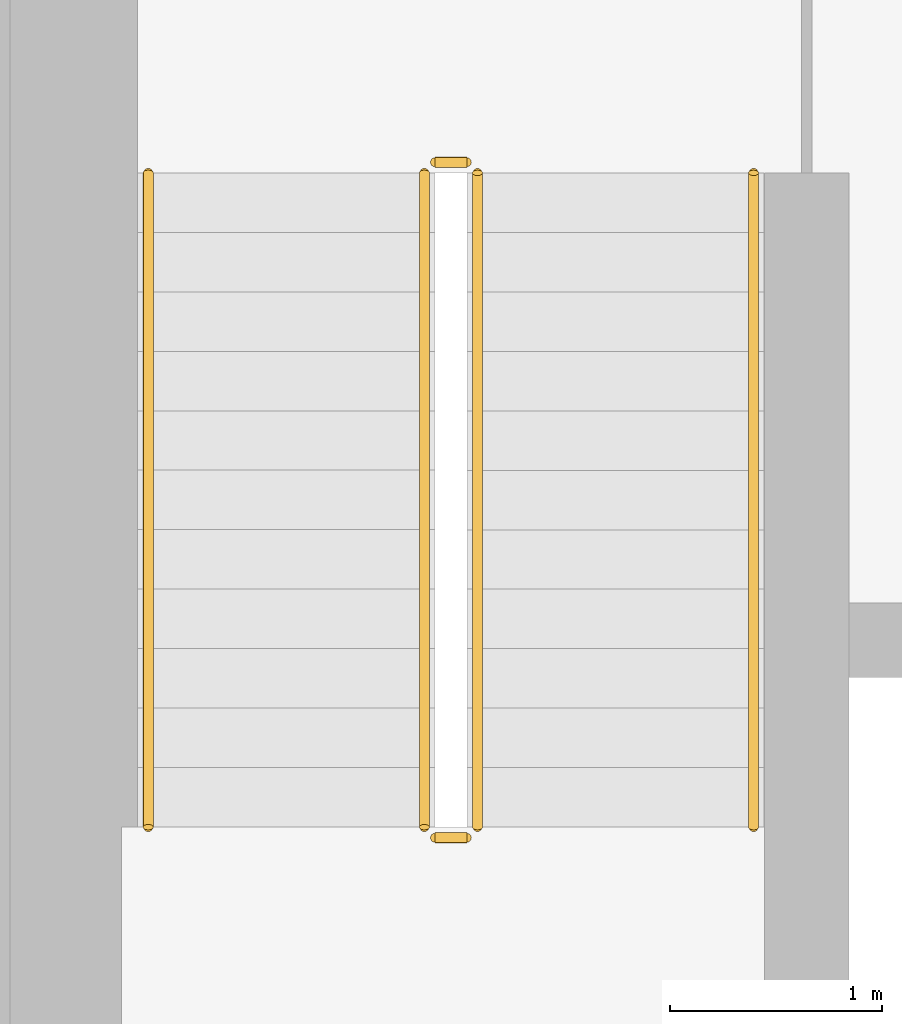
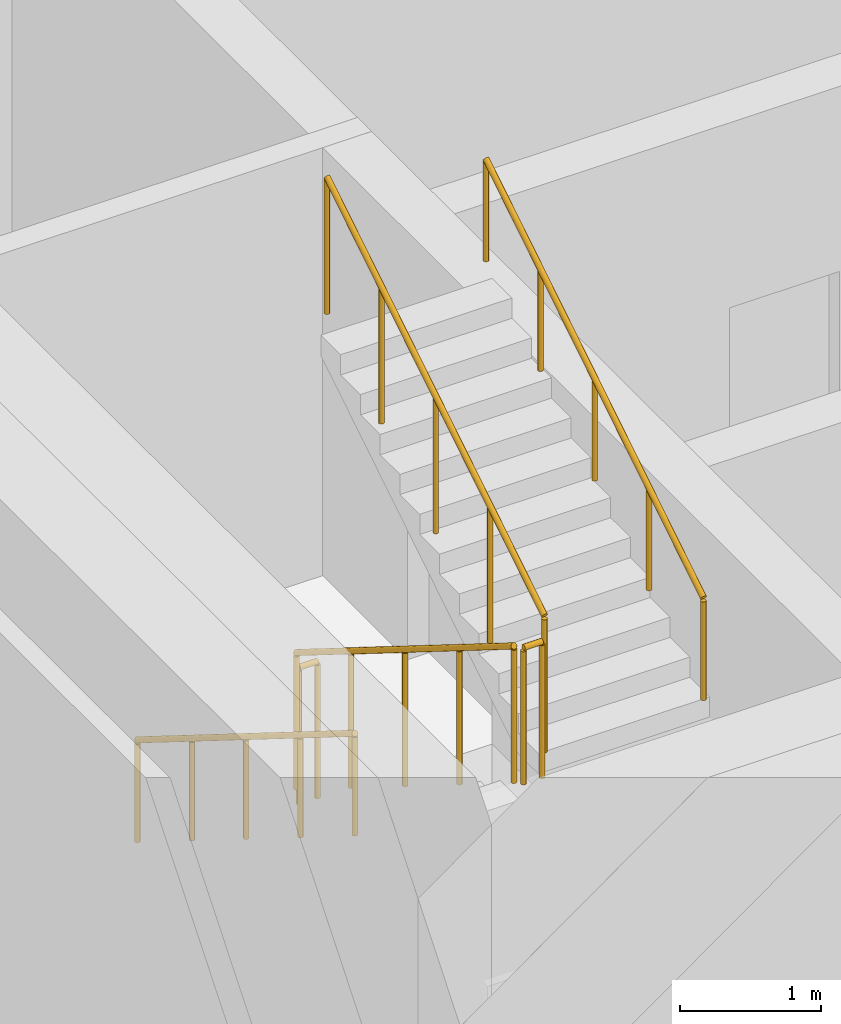
# One storey, part 19 of 24: 6 railings.
"""IFC4 building model written with IfcOpenShell, lengths in metres."""

from ifc_helpers import new_model, si_unit, direction, frame, origin, origin_2d, place, context, subcontext, project, spatial, circle, extrude, material, type_object, element, save


model = new_model("IFC4")

# Units and contexts
model_context = context("Model", 3, precision=1e-05, world=origin(), true_north=direction((0.0, 1.0)))
body_context = subcontext(model_context, "Body", "Model", "MODEL_VIEW")
ifc_project = project(units=[si_unit("LENGTHUNIT", "METRE"), si_unit("AREAUNIT", "SQUARE_METRE"), si_unit("VOLUMEUNIT", "CUBIC_METRE"), si_unit("PLANEANGLEUNIT", "RADIAN"), si_unit("MASSUNIT", "GRAM", prefix="KILO")], contexts=[model_context])

# Site, building, storey
site_placement = place(None, origin())
site = spatial("IfcSite", under=ifc_project, at=site_placement, CompositionType="ELEMENT")
building_placement = place(site_placement, origin())
building = spatial("IfcBuilding", under=site, at=building_placement, Name="Dongbaek Canopy Tower", CompositionType="ELEMENT")
storey_placement = place(building_placement, frame((0.0, 0.0, 348.800048828125)))
storey = spatial("IfcBuildingStorey", under=building, at=storey_placement, Name="L75", CompositionType="ELEMENT", Elevation=348.800048828125)

# Railings
ifc_material_1 = material(Name="Stainless steel tube and balusters", Category="steel")
railing_type_1 = type_object("IfcRailingType", Name="Stair guard 1200", PredefinedType="GUARDRAIL", material=ifc_material_1)
railing_1_placement = place(storey_placement, frame((-11.449951171875, -4.699951171875, 0.175048828125)))
element("IfcRailing", 1, at=railing_1_placement, inside=storey, type_object=railing_type_1, Name="L75 ST-D stair guard 1", PredefinedType="GUARDRAIL", context=body_context, shape_type="SweptSolid", body=[
    extrude(circle(Radius=0.02392578125, at=origin_2d()), frame((0.0, 0.0, 1.17578125), z_axis=(0.0, -0.848028513186, 0.529950602248), x_axis=(1.0, 0.0, 0.0)), (0.0, 0.0, 1.0), 3.632080078125),
    extrude(circle(Radius=0.02099609375, at=origin_2d()), origin(), (0.0, 0.0, 1.0), 1.15185546875),
    extrude(circle(Radius=0.02099609375, at=origin_2d()), frame((0.0, -0.77001953125, 0.481201171875)), (0.0, 0.0, 1.0), 1.15185546875),
    extrude(circle(Radius=0.02099609375, at=origin_2d()), frame((0.0, -1.5400390625, 0.96240234375)), (0.0, 0.0, 1.0), 1.15185546875),
    extrude(circle(Radius=0.02099609375, at=origin_2d()), frame((0.0, -2.31005859375, 1.443603515625)), (0.0, 0.0, 1.0), 1.15185546875),
    extrude(circle(Radius=0.02099609375, at=origin_2d()), frame((0.0, -3.080078125, 1.9248046875)), (0.0, 0.0, 1.0), 1.15185546875),
])
railing_2_placement = place(storey_placement, frame((-11.39990234375, -7.830078125, 2.099853515625)))
element("IfcRailing", 2, at=railing_2_placement, inside=storey, type_object=railing_type_1, Name="L75 ST-D stair guard 2", PredefinedType="GUARDRAIL", context=body_context, shape_type="SweptSolid", body=[
    extrude(circle(Radius=0.02392578125, at=origin_2d()), frame((0.0, 0.0, 1.17578125), z_axis=(1.0, 0.0, 0.0), x_axis=(0.0, 1.0, 0.0)), (0.0, 0.0, 1.0), 0.14990234375),
    extrude(circle(Radius=0.02099609375, at=origin_2d()), origin(), (0.0, 0.0, 1.0), 1.15185546875),
    extrude(circle(Radius=0.02099609375, at=origin_2d()), frame((0.14990234375, 0.0, 0.0)), (0.0, 0.0, 1.0), 1.15185546875),
])
railing_3_placement = place(storey_placement, frame((-11.199951171875, -7.780029296875, 2.27490234375)))
element("IfcRailing", 3, at=railing_3_placement, inside=storey, type_object=railing_type_1, Name="L75 ST-D stair guard 3", PredefinedType="GUARDRAIL", context=body_context, shape_type="SweptSolid", body=[
    extrude(circle(Radius=0.02392578125, at=origin_2d()), frame((0.0, 0.0, 1.17578125), z_axis=(0.0, 0.847998304005, 0.529998940003), x_axis=(-1.0, 0.0, 0.0)), (0.0, 0.0, 1.0), 3.632080078125),
    extrude(circle(Radius=0.02099609375, at=origin_2d()), origin(), (0.0, 0.0, 1.0), 1.15185546875),
    extrude(circle(Radius=0.02099609375, at=origin_2d()), frame((0.0, 0.77001953125, 0.481201171875)), (0.0, 0.0, 1.0), 1.15185546875),
    extrude(circle(Radius=0.02099609375, at=origin_2d()), frame((0.0, 1.5400390625, 0.96240234375)), (0.0, 0.0, 1.0), 1.15185546875),
    extrude(circle(Radius=0.02099609375, at=origin_2d()), frame((0.0, 2.31005859375, 1.44384765625)), (0.0, 0.0, 1.0), 1.15185546875),
    extrude(circle(Radius=0.02099609375, at=origin_2d()), frame((0.0, 3.080078125, 1.925048828125)), (0.0, 0.0, 1.0), 1.15185546875),
])
railing_4_placement = place(storey_placement, frame((-11.39990234375, -4.64990234375, 0.0)))
element("IfcRailing", 4, at=railing_4_placement, inside=storey, type_object=railing_type_1, Name="L75 ST-D stair guard 4", PredefinedType="GUARDRAIL", context=body_context, shape_type="SweptSolid", body=[
    extrude(circle(Radius=0.02392578125, at=origin_2d()), frame((0.0, 0.0, 1.17578125), z_axis=(1.0, 0.0, 0.0), x_axis=(0.0, 1.0, 0.0)), (0.0, 0.0, 1.0), 0.14990234375),
    extrude(circle(Radius=0.02099609375, at=origin_2d()), origin(), (0.0, 0.0, 1.0), 1.15185546875),
    extrude(circle(Radius=0.02099609375, at=origin_2d()), frame((0.14990234375, 0.0, 0.0)), (0.0, 0.0, 1.0), 1.15185546875),
])
ifc_material_2 = material(Name="Stainless steel tube", Category="steel")
railing_type_2 = type_object("IfcRailingType", Name="Stair handrail 900", PredefinedType="HANDRAIL", material=ifc_material_2)
railing_5_placement = place(storey_placement, frame((-12.75, -4.699951171875, 0.175048828125)))
element("IfcRailing", 5, at=railing_5_placement, inside=storey, type_object=railing_type_2, Name="L75 ST-D stair handrail 1", PredefinedType="HANDRAIL", context=body_context, shape_type="SweptSolid", body=[
    extrude(circle(Radius=0.02392578125, at=origin_2d()), frame((0.0, 0.0, 0.8759765625), z_axis=(0.0, -0.848028513186, 0.529950602248), x_axis=(1.0, 0.0, 0.0)), (0.0, 0.0, 1.0), 3.632080078125),
    extrude(circle(Radius=0.02099609375, at=origin_2d()), origin(), (0.0, 0.0, 1.0), 0.851806640625),
    extrude(circle(Radius=0.02099609375, at=origin_2d()), frame((0.0, -0.77001953125, 0.481201171875)), (0.0, 0.0, 1.0), 0.851806640625),
    extrude(circle(Radius=0.02099609375, at=origin_2d()), frame((0.0, -1.5400390625, 0.96240234375)), (0.0, 0.0, 1.0), 0.851806640625),
    extrude(circle(Radius=0.02099609375, at=origin_2d()), frame((0.0, -2.31005859375, 1.443603515625)), (0.0, 0.0, 1.0), 0.851806640625),
    extrude(circle(Radius=0.02099609375, at=origin_2d()), frame((0.0, -3.080078125, 1.9248046875)), (0.0, 0.0, 1.0), 0.851806640625),
])
railing_6_placement = place(storey_placement, frame((-9.89990234375, -7.780029296875, 2.27490234375)))
element("IfcRailing", 6, at=railing_6_placement, inside=storey, type_object=railing_type_2, Name="L75 ST-D stair handrail 2", PredefinedType="HANDRAIL", context=body_context, shape_type="SweptSolid", body=[
    extrude(circle(Radius=0.02392578125, at=origin_2d()), frame((0.0, 0.0, 0.8759765625), z_axis=(0.0, 0.847998304005, 0.529998940003), x_axis=(-1.0, 0.0, 0.0)), (0.0, 0.0, 1.0), 3.632080078125),
    extrude(circle(Radius=0.02099609375, at=origin_2d()), origin(), (0.0, 0.0, 1.0), 0.851806640625),
    extrude(circle(Radius=0.02099609375, at=origin_2d()), frame((0.0, 0.77001953125, 0.481201171875)), (0.0, 0.0, 1.0), 0.851806640625),
    extrude(circle(Radius=0.02099609375, at=origin_2d()), frame((0.0, 1.5400390625, 0.96240234375)), (0.0, 0.0, 1.0), 0.851806640625),
    extrude(circle(Radius=0.02099609375, at=origin_2d()), frame((0.0, 2.31005859375, 1.44384765625)), (0.0, 0.0, 1.0), 0.851806640625),
    extrude(circle(Radius=0.02099609375, at=origin_2d()), frame((0.0, 3.080078125, 1.925048828125)), (0.0, 0.0, 1.0), 0.851806640625),
])

save(model, "model.ifc")
